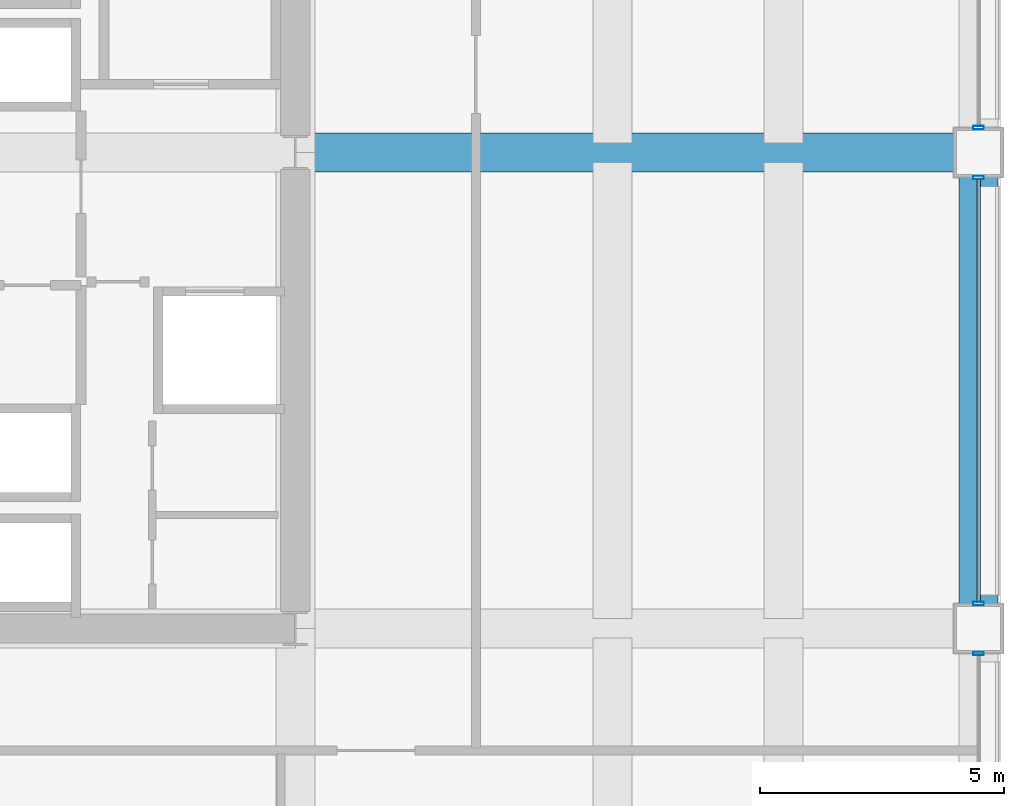
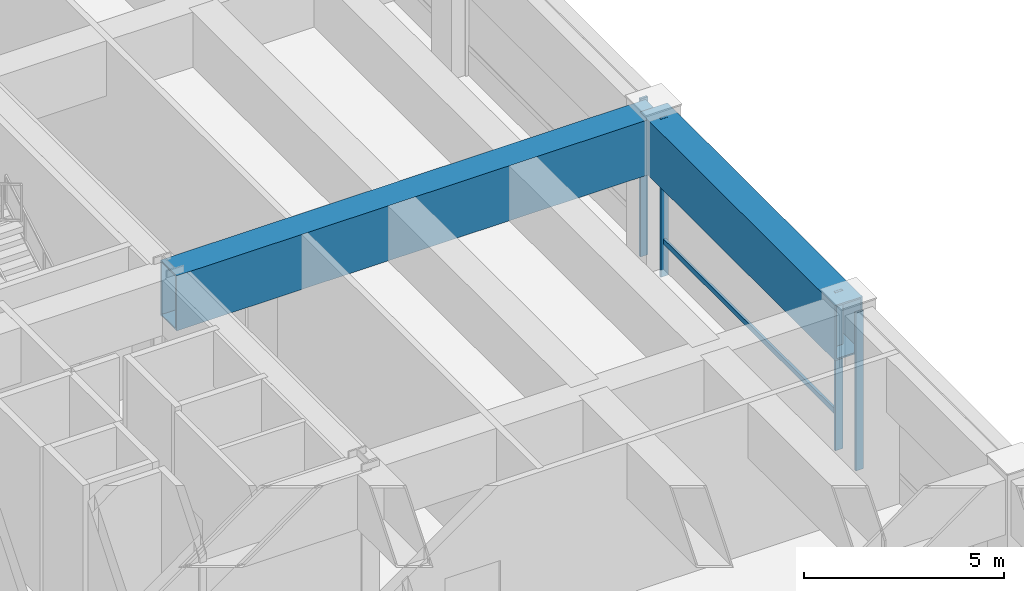
# One storey, part 13 of 30: 5 members, 2 beams, 3 elements without a shape of their own.
"""IFC4 building model written with IfcOpenShell, lengths in metres."""

from ifc_helpers import new_model, si_unit, direction, frame, origin, origin_2d, place, context, subcontext, project, spatial, hollow_rectangle, extrude, material, layer, layer_set, material_profile, profile_set, type_object, element, aggregate, save


model = new_model("IFC4")

# Units and contexts
model_context = context("Model", 3, precision=1e-05, world=origin(), true_north=direction((0.0, 1.0)))
body_context = subcontext(model_context, "Body", "Model", "MODEL_VIEW")
ifc_project = project(units=[si_unit("LENGTHUNIT", "METRE"), si_unit("AREAUNIT", "SQUARE_METRE"), si_unit("VOLUMEUNIT", "CUBIC_METRE"), si_unit("PLANEANGLEUNIT", "RADIAN"), si_unit("MASSUNIT", "GRAM", prefix="KILO")], contexts=[model_context])

# Site, building, storey
site_placement = place(None, origin())
site = spatial("IfcSite", under=ifc_project, at=site_placement, CompositionType="ELEMENT")
building_placement = place(site_placement, origin())
building = spatial("IfcBuilding", under=site, at=building_placement, Name="Brelmoor Portico Tower", CompositionType="ELEMENT")
storey_placement = place(building_placement, frame((0.0, 0.0, 19.199951171875)))
storey = spatial("IfcBuildingStorey", under=building, at=storey_placement, Name="L04", CompositionType="ELEMENT", Elevation=19.199951171875)

# Beams
ifc_material_1 = material(Name="Steel Q355B", Category="steel")
ifc_material_profile_1 = material_profile(ifc_material_1, hollow_rectangle(XDim=0.800048828125, YDim=1.679931640625, WallThickness=0.044921875, at=origin_2d()), Name="BOX 800x1680x45")
ifc_profile_set_1 = profile_set([ifc_material_profile_1], Name="Steel Q355B")
beam_type = type_object("IfcBeamType", Name="BM-TG-Z1", PredefinedType="BEAM", material=ifc_profile_set_1)
beam_1_placement = place(storey_placement, frame((28.550048828125, -9.75, 3.760009765625), z_axis=(0.0, 1.0, 0.0), x_axis=(-1.0, 0.0, 0.0)))
element("IfcBeam", 1, at=beam_1_placement, inside=storey, type_object=beam_type, Name="L04 Perimeter Transfer Beam SP-23", PredefinedType="BEAM", context=body_context, shape_type="SweptSolid", body=[
    extrude(hollow_rectangle(XDim=0.800048828125, YDim=1.679931640625, WallThickness=0.044921875, at=origin_2d()), origin(), (0.0, 0.0, 1.0), 9.75),
])
beam_2_placement = place(storey_placement, frame((14.550048828125, 0.0, 3.760009765625), z_axis=(1.0, 0.0, 0.0), x_axis=(0.0, 1.0, 0.0)))
element("IfcBeam", 2, at=beam_2_placement, inside=storey, type_object=beam_type, Name="L04 Setback Transfer Girder PG-34", PredefinedType="BEAM", context=body_context, shape_type="SweptSolid", body=[
    extrude(hollow_rectangle(XDim=0.800048828125, YDim=1.679931640625, WallThickness=0.044921875, at=origin_2d()), origin(), (0.0, 0.0, 1.0), 14.0),
])

# Curtain wall, member
ifc_material_2 = material(Name="Anodised Aluminium Alloy 6063-T6", Category="aluminium")
ifc_layer = layer(ifc_material_2, 0.179931640625)
ifc_layer_set = layer_set([ifc_layer], Name="Anodised Aluminium Alloy 6063-T6")
curtain_wall_type = type_object("IfcCurtainWallType", Name="CW-PODIUM-ARCH", PredefinedType="NOTDEFINED", material=ifc_layer_set)
curtain_wall_1_placement = place(storey_placement, origin())
curtain_wall_1 = element("IfcCurtainWall", 3, at=curtain_wall_1_placement, inside=storey, type_object=curtain_wall_type, Name="L04 Curtain Wall CW-L04-04-2", PredefinedType="NOTDEFINED")
ifc_material_profile_2 = material_profile(ifc_material_2, hollow_rectangle(XDim=0.074951171875, YDim=0.219970703125, WallThickness=0.0048828125, at=origin_2d()), Name="ALU MULLION 75x220")
ifc_profile_set_2 = profile_set([ifc_material_profile_2], Name="Anodised Aluminium Alloy 6063-T6")
member_type_1 = type_object("IfcMemberType", Name="MB-CW-MULL-220", PredefinedType="MULLION", material=ifc_profile_set_2)
member_1_placement = place(storey_placement, frame((28.550048828125, -10.260009765625, -0.219970703125), z_axis=(0.0, 0.0, 1.0), x_axis=(0.0, 1.0, 0.0)))
member_1 = element("IfcMember", 4, at=member_1_placement, type_object=member_type_1, Name="CW-L04-04-2 Mullion 01", PredefinedType="MULLION", context=body_context, shape_type="SweptSolid", body=[
    extrude(hollow_rectangle(XDim=0.074951171875, YDim=0.219970703125, WallThickness=0.0048828125, at=origin_2d()), origin(), (0.0, 0.0, 1.0), 4.820068359375),
])
aggregate(curtain_wall_1, [member_1])

# Curtain wall, members
curtain_wall_2_placement = place(storey_placement, origin())
curtain_wall_2 = element("IfcCurtainWall", 5, at=curtain_wall_2_placement, inside=storey, type_object=curtain_wall_type, Name="L04 Curtain Wall CW-L04-04-3", PredefinedType="NOTDEFINED")
member_2_placement = place(storey_placement, frame((28.550048828125, -9.239990234375, -0.219970703125), z_axis=(0.0, 0.0, 1.0), x_axis=(0.0, 1.0, 0.0)))
member_2 = element("IfcMember", 6, at=member_2_placement, type_object=member_type_1, Name="CW-L04-04-3 Mullion 00", PredefinedType="MULLION", context=body_context, shape_type="SweptSolid", body=[
    extrude(hollow_rectangle(XDim=0.074951171875, YDim=0.219970703125, WallThickness=0.0048828125, at=origin_2d()), origin(), (0.0, 0.0, 1.0), 4.820068359375),
])
member_3_placement = place(storey_placement, frame((28.550048828125, -0.510009765625, -0.219970703125), z_axis=(0.0, 0.0, 1.0), x_axis=(0.0, 1.0, 0.0)))
member_3 = element("IfcMember", 7, at=member_3_placement, type_object=member_type_1, Name="CW-L04-04-3 Mullion 01", PredefinedType="MULLION", context=body_context, shape_type="SweptSolid", body=[
    extrude(hollow_rectangle(XDim=0.074951171875, YDim=0.219970703125, WallThickness=0.0048828125, at=origin_2d()), origin(), (0.0, 0.0, 1.0), 4.820068359375),
])

# Curtain wall, member
curtain_wall_3_placement = place(storey_placement, origin())
curtain_wall_3 = element("IfcCurtainWall", 8, at=curtain_wall_3_placement, inside=storey, type_object=curtain_wall_type, Name="L04 Curtain Wall CW-L04-04-4", PredefinedType="NOTDEFINED")
member_4_placement = place(storey_placement, frame((28.550048828125, 0.510009765625, -0.219970703125), z_axis=(0.0, 0.0, 1.0), x_axis=(0.0, 1.0, 0.0)))
member_4 = element("IfcMember", 9, at=member_4_placement, type_object=member_type_1, Name="CW-L04-04-4 Mullion 00", PredefinedType="MULLION", context=body_context, shape_type="SweptSolid", body=[
    extrude(hollow_rectangle(XDim=0.074951171875, YDim=0.219970703125, WallThickness=0.0048828125, at=origin_2d()), origin(), (0.0, 0.0, 1.0), 4.820068359375),
])
aggregate(curtain_wall_3, [member_4])

# Member
ifc_material_profile_3 = material_profile(ifc_material_2, hollow_rectangle(XDim=0.070068359375, YDim=0.159912109375, WallThickness=0.00390625, at=origin_2d()), Name="ALU TRANSOM 70x160")
ifc_profile_set_3 = profile_set([ifc_material_profile_3], Name="Anodised Aluminium Alloy 6063-T6")
member_type_2 = type_object("IfcMemberType", Name="MB-CW-TRAN-160", PredefinedType="USERDEFINED", material=ifc_profile_set_3)
member_5_placement = place(storey_placement, frame((28.550048828125, -9.239990234375, 0.85009765625), z_axis=(0.0, 1.0, 0.0), x_axis=(-1.0, 0.0, 0.0)))
member_5 = element("IfcMember", 10, at=member_5_placement, type_object=member_type_2, Name="CW-L04-04-3 Transom 1-00", ObjectType="TRANSOM", PredefinedType="USERDEFINED", context=body_context, shape_type="SweptSolid", body=[
    extrude(hollow_rectangle(XDim=0.070068359375, YDim=0.159912109375, WallThickness=0.00390625, at=origin_2d()), origin(), (0.0, 0.0, 1.0), 8.72998046875),
])

aggregate(curtain_wall_2, [member_2, member_3, member_5])

save(model, "model.ifc")
